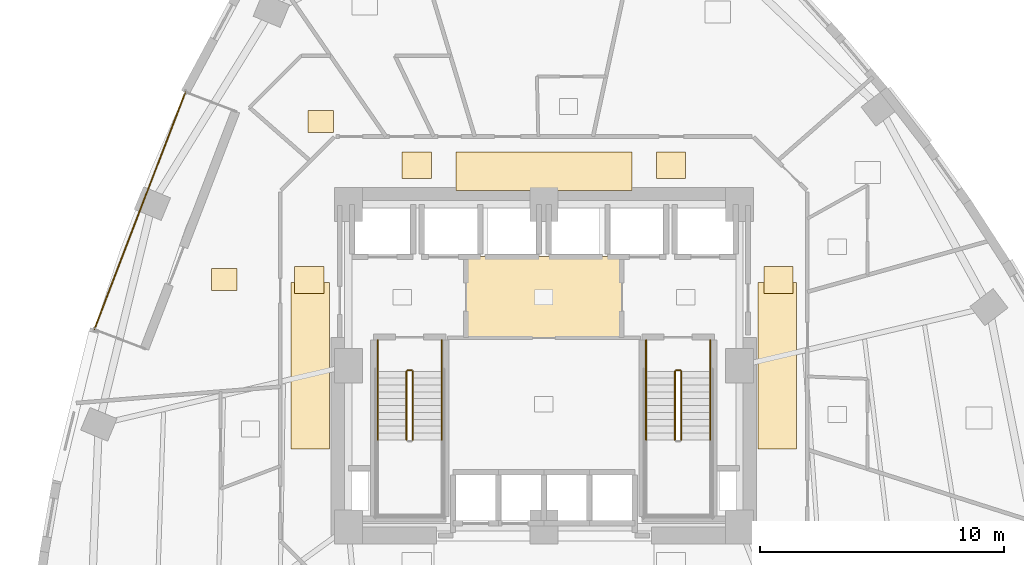
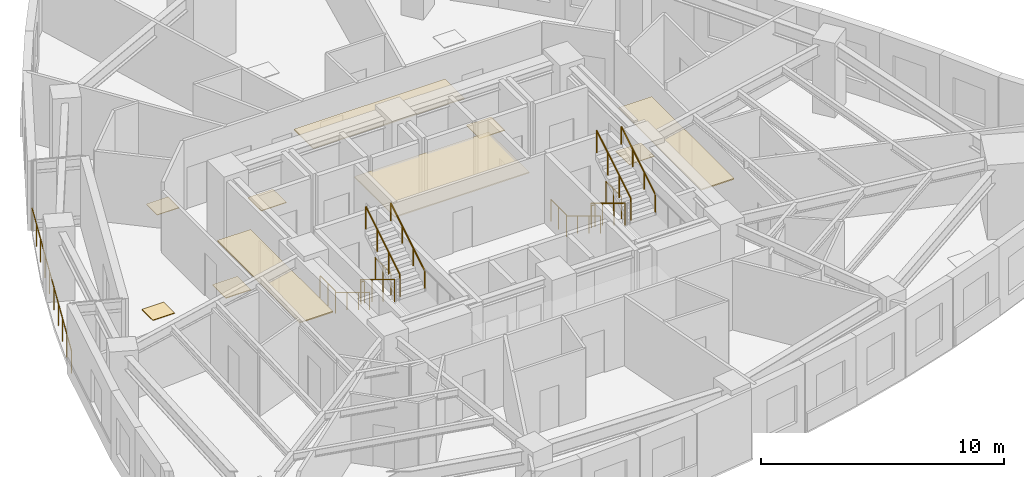
# One storey, part 11 of 12: 15 railings, 10 coverings.
"""IFC4 building model written with IfcOpenShell, lengths in metres."""

from ifc_helpers import new_model, si_unit, direction, frame, origin, origin_2d, place, context, subcontext, project, spatial, rectangle, circle, extrude, material, layer, layer_set, type_object, element, save


model = new_model("IFC4")

# Units and contexts
model_context = context("Model", 3, precision=1e-05, world=origin(), true_north=direction((0.0, 1.0)))
body_context = subcontext(model_context, "Body", "Model", "MODEL_VIEW")
ifc_project = project(units=[si_unit("LENGTHUNIT", "METRE"), si_unit("AREAUNIT", "SQUARE_METRE"), si_unit("VOLUMEUNIT", "CUBIC_METRE"), si_unit("PLANEANGLEUNIT", "RADIAN"), si_unit("MASSUNIT", "GRAM", prefix="KILO")], contexts=[model_context])

# Site, building, storey
site_placement = place(None, origin())
site = spatial("IfcSite", under=ifc_project, at=site_placement, CompositionType="ELEMENT")
building_placement = place(site_placement, origin())
building = spatial("IfcBuilding", under=site, at=building_placement, Name="Ndelora Gate Hotel", CompositionType="ELEMENT")
storey_placement = place(building_placement, frame((0.0, 0.0, 60.5)))
storey = spatial("IfcBuildingStorey", under=building, at=storey_placement, Name="L14", CompositionType="ELEMENT", Elevation=60.5)

# Coverings
ifc_material_1 = material(Name="Perforated Acoustic Gypsum Board", Category="gypsum")
ifc_layer_1 = layer(ifc_material_1, 0.054931640625)
ifc_layer_set_1 = layer_set([ifc_layer_1], Name="Perforated Acoustic Gypsum Board")
covering_type_1 = type_object("IfcCoveringType", Name="COV-CEIL-AC60", PredefinedType="CEILING", material=ifc_layer_set_1)
covering_1_placement = place(storey_placement, frame((0.0, 2.800048828125, 2.72265625), z_axis=(0.0, 0.0, 1.0), x_axis=(1.0, 0.0, 0.0)))
element("IfcCovering", 1, at=covering_1_placement, inside=storey, type_object=covering_type_1, Name="L14 Lift Lobby Acoustic Ceiling", PredefinedType="CEILING", context=body_context, shape_type="SweptSolid", body=[
    extrude(rectangle(XDim=6.39990234375, YDim=3.340087890625, at=origin_2d()), origin(), (0.0, 0.0, 1.0), 0.054931640625),
])
covering_2_placement = place(storey_placement, frame((0.0, 7.9599609375, 2.65234375), z_axis=(0.0, 0.0, 1.0), x_axis=(1.0, 0.0, 0.0)))
element("IfcCovering", 2, at=covering_2_placement, inside=storey, type_object=covering_type_1, Name="L14 Guest Corridor Acoustic Ceiling N", PredefinedType="CEILING", context=body_context, shape_type="SweptSolid", body=[
    extrude(rectangle(XDim=7.199951171875, YDim=1.580078125, at=origin_2d()), origin(), (0.0, 0.0, 1.0), 0.054931640625),
])
for number, where, z_axis, x_axis, name in (
    (3, (-9.550048828125, 0.0, 2.65234375), (0.0, 0.0, 1.0), (1.0, 0.0, 0.0), "L14 Guest Corridor Acoustic Ceiling W"),
    (4, (9.550048828125, 0.0, 2.65234375), (0.0, 0.0, 1.0), (1.0, 0.0, 0.0), "L14 Guest Corridor Acoustic Ceiling E"),
):
    element("IfcCovering", number, at=place(storey_placement, frame(where, z_axis=z_axis, x_axis=x_axis)), inside=storey, type_object=covering_type_1, Name=name, PredefinedType="CEILING", context=body_context, shape_type="SweptSolid", body=[
        extrude(rectangle(XDim=1.580078125, YDim=6.800048828125, at=origin_2d()), origin(), (0.0, 0.0, 1.0), 0.054931640625),
    ])
ifc_material_2 = material(Name="Engineered Highland Oak Parquet", Category="wood")
ifc_layer_2 = layer(ifc_material_2, 0.030029296875)
ifc_layer_set_2 = layer_set([ifc_layer_2], Name="Engineered Highland Oak Parquet")
covering_type_2 = type_object("IfcCoveringType", Name="COV-FLR-PARQ", PredefinedType="FLOORING", material=ifc_layer_set_2)
for number, where, z_axis, x_axis, name in (
    (5, (-13.076904296875, 3.5244140625, 0.0), (0.0, 0.0, 1.0), (1.0, 0.0, 0.0), "L14 Sky Garden Tea Dining Room Oak Parquet Flooring"),
    (6, (-9.129638671875, 9.989990234375, 0.0), (0.0, 0.0, 1.0), (1.0, 0.0, 0.0), "L14 Accessible WC Oak Parquet Flooring"),
):
    element("IfcCovering", number, at=place(storey_placement, frame(where, z_axis=z_axis, x_axis=x_axis)), inside=storey, type_object=covering_type_2, Name=name, PredefinedType="FLOORING", context=body_context, shape_type="SweptSolid", body=[
        extrude(rectangle(XDim=1.050048828125, YDim=0.89990234375, at=origin_2d()), origin(), (0.0, 0.0, 1.0), 0.030029296875),
    ])
ifc_material_3 = material(Name="Polished Highland Stone Terrazzo", Category="masonry")
ifc_layer_3 = layer(ifc_material_3, 0.034912109375)
ifc_layer_set_3 = layer_set([ifc_layer_3], Name="Polished Highland Stone Terrazzo")
covering_type_3 = type_object("IfcCoveringType", Name="COV-FLR-TERZ", PredefinedType="FLOORING", material=ifc_layer_set_3)
for number, where, z_axis, x_axis, name in (
    (7, (-5.199951171875, 8.199951171875, 0.0), (0.0, 0.0, 1.0), (1.0, 0.0, 0.0), "L14 Corridor Threshold Terrazzo Inlay NW"),
    (8, (5.199951171875, 8.199951171875, 0.0), (0.0, 0.0, 1.0), (1.0, 0.0, 0.0), "L14 Corridor Threshold Terrazzo Inlay NE"),
    (9, (-9.60009765625, 3.5, 0.0), (0.0, 0.0, 1.0), (1.0, 0.0, 0.0), "L14 Corridor Threshold Terrazzo Inlay W"),
    (10, (9.60009765625, 3.5, 0.0), (0.0, 0.0, 1.0), (1.0, 0.0, 0.0), "L14 Corridor Threshold Terrazzo Inlay E"),
):
    element("IfcCovering", number, at=place(storey_placement, frame(where, z_axis=z_axis, x_axis=x_axis)), inside=storey, type_object=covering_type_3, Name=name, PredefinedType="FLOORING", context=body_context, shape_type="SweptSolid", body=[
        extrude(rectangle(XDim=1.199951171875, YDim=1.10009765625, at=origin_2d()), origin(), (0.0, 0.0, 1.0), 0.034912109375),
    ])

# Railings
ifc_material_4 = material(Name="Laminated Safety Glass and Bronze Top Rail", Category="glass")
ifc_layer_4 = layer(ifc_material_4, 0.070068359375)
ifc_layer_set_4 = layer_set([ifc_layer_4], Name="Laminated Safety Glass and Bronze Top Rail")
railing_type_1 = type_object("IfcRailingType", Name="RL-BAL-1150", PredefinedType="BALUSTRADE", material=ifc_layer_set_4)
railing_1_placement = place(storey_placement, frame((-14.66259765625, 11.198486328125, 0.0)))
element("IfcRailing", 11, at=railing_1_placement, inside=storey, type_object=railing_type_1, Name="L14 Sky-Garden Loggia Terrace Balustrade", PredefinedType="BALUSTRADE", context=body_context, shape_type="SweptSolid", body=[
    extrude(circle(Radius=0.02392578125, at=origin_2d()), frame((0.0, 0.0, 1.1357421875), z_axis=(-0.35834191059, -0.933590421499, 0.0), x_axis=(0.933590421499, -0.35834191059, 0.0)), (0.0, 0.0, 1.0), 10.400146484375),
    extrude(circle(Radius=0.02099609375, at=origin_2d()), origin(), (0.0, 0.0, 1.0), 1.11181640625),
    extrude(circle(Radius=0.02099609375, at=origin_2d()), frame((-0.4140625, -1.078857421875, 0.0)), (0.0, 0.0, 1.0), 1.11181640625),
    extrude(circle(Radius=0.02099609375, at=origin_2d()), frame((-0.828125, -2.15771484375, 0.0)), (0.0, 0.0, 1.0), 1.11181640625),
    extrude(circle(Radius=0.02099609375, at=origin_2d()), frame((-1.2421875, -3.236572265625, 0.0)), (0.0, 0.0, 1.0), 1.11181640625),
    extrude(circle(Radius=0.02099609375, at=origin_2d()), frame((-1.65625, -4.3154296875, 0.0)), (0.0, 0.0, 1.0), 1.11181640625),
    extrude(circle(Radius=0.02099609375, at=origin_2d()), frame((-2.070556640625, -5.39404296875, 0.0)), (0.0, 0.0, 1.0), 1.11181640625),
    extrude(circle(Radius=0.02099609375, at=origin_2d()), frame((-2.484619140625, -6.472900390625, 0.0)), (0.0, 0.0, 1.0), 1.11181640625),
    extrude(circle(Radius=0.02099609375, at=origin_2d()), frame((-2.898681640625, -7.5517578125, 0.0)), (0.0, 0.0, 1.0), 1.11181640625),
    extrude(circle(Radius=0.02099609375, at=origin_2d()), frame((-3.312744140625, -8.630615234375, 0.0)), (0.0, 0.0, 1.0), 1.11181640625),
    extrude(circle(Radius=0.02099609375, at=origin_2d()), frame((-3.726806640625, -9.70947265625, 0.0)), (0.0, 0.0, 1.0), 1.11181640625),
])
ifc_material_5 = material(Name="Painted Galvanized Steel Balustrade", Category="steel")
ifc_layer_5 = layer(ifc_material_5, 0.06005859375)
ifc_layer_set_5 = layer_set([ifc_layer_5], Name="Painted Galvanized Steel Balustrade")
railing_type_2 = type_object("IfcRailingType", Name="RL-STAIR-GD", PredefinedType="GUARDRAIL", material=ifc_layer_set_5)
railing_2_placement = place(storey_placement, frame((-5.6201171875, -0.22998046875, 0.17041015625)))
element("IfcRailing", 12, at=railing_2_placement, inside=storey, type_object=railing_type_2, Name="L14 ST4 stair guard 1", PredefinedType="GUARDRAIL", context=body_context, shape_type="SweptSolid", body=[
    extrude(circle(Radius=0.02392578125, at=origin_2d()), frame((0.0, 0.0, 1.10595703125), z_axis=(0.0, -0.854169791009, 0.51999420009), x_axis=(1.0, 0.0, 0.0)), (0.0, 0.0, 1.0), 3.278076171875),
    extrude(circle(Radius=0.02099609375, at=origin_2d()), origin(), (0.0, 0.0, 1.0), 1.081787109375),
    extrude(circle(Radius=0.02099609375, at=origin_2d()), frame((0.0, -0.933349609375, 0.568115234375)), (0.0, 0.0, 1.0), 1.081787109375),
    extrude(circle(Radius=0.02099609375, at=origin_2d()), frame((0.0, -1.86669921875, 1.136474609375)), (0.0, 0.0, 1.0), 1.081787109375),
    extrude(circle(Radius=0.02099609375, at=origin_2d()), frame((0.0, -2.800048828125, 1.70458984375)), (0.0, 0.0, 1.0), 1.081787109375),
])
railing_3_placement = place(storey_placement, frame((-5.360107421875, -3.030029296875, 2.04541015625)))
element("IfcRailing", 13, at=railing_3_placement, inside=storey, type_object=railing_type_2, Name="L14 ST4 stair guard 6", PredefinedType="GUARDRAIL", context=body_context, shape_type="SweptSolid", body=[
    extrude(circle(Radius=0.02392578125, at=origin_2d()), frame((0.0, 0.0, 1.10595703125), z_axis=(0.0, 0.854169791009, 0.51999420009), x_axis=(-1.0, 0.0, 0.0)), (0.0, 0.0, 1.0), 3.278076171875),
    extrude(circle(Radius=0.02099609375, at=origin_2d()), origin(), (0.0, 0.0, 1.0), 1.081787109375),
    extrude(circle(Radius=0.02099609375, at=origin_2d()), frame((0.0, 0.933349609375, 0.568115234375)), (0.0, 0.0, 1.0), 1.081787109375),
    extrude(circle(Radius=0.02099609375, at=origin_2d()), frame((0.0, 1.86669921875, 1.136474609375)), (0.0, 0.0, 1.0), 1.081787109375),
    extrude(circle(Radius=0.02099609375, at=origin_2d()), frame((0.0, 2.800048828125, 1.70458984375)), (0.0, 0.0, 1.0), 1.081787109375),
])
railing_4_placement = place(storey_placement, frame((-5.570068359375, -0.179931640625, 0.0)))
element("IfcRailing", 14, at=railing_4_placement, inside=storey, type_object=railing_type_2, Name="L14 ST4 stair guard 7", PredefinedType="GUARDRAIL", context=body_context, shape_type="SweptSolid", body=[
    extrude(circle(Radius=0.02392578125, at=origin_2d()), frame((0.0, 0.0, 1.10595703125), z_axis=(1.0, 0.0, 0.0), x_axis=(0.0, 1.0, 0.0)), (0.0, 0.0, 1.0), 0.16015625),
    extrude(circle(Radius=0.02099609375, at=origin_2d()), origin(), (0.0, 0.0, 1.0), 1.081787109375),
    extrude(circle(Radius=0.02099609375, at=origin_2d()), frame((0.16015625, 0.0, 0.0)), (0.0, 0.0, 1.0), 1.081787109375),
])
for number, where, name in (
    (15, (-6.800048828125, 1.050048828125, 0.0), "L14 ST4 stair guard 8"),
    (16, (-4.179931640625, 1.050048828125, 0.0), "L14 ST4 stair guard 9"),
):
    element("IfcRailing", number, at=place(storey_placement, frame(where)), inside=storey, type_object=railing_type_2, Name=name, PredefinedType="GUARDRAIL", context=body_context, shape_type="SweptSolid", body=[
        extrude(circle(Radius=0.02392578125, at=origin_2d()), frame((0.0, 0.0, 1.10595703125), z_axis=(0.0, -1.0, 0.0), x_axis=(1.0, 0.0, 0.0)), (0.0, 0.0, 1.0), 1.280029296875),
        extrude(circle(Radius=0.02099609375, at=origin_2d()), origin(), (0.0, 0.0, 1.0), 1.081787109375),
        extrude(circle(Radius=0.02099609375, at=origin_2d()), frame((0.0, -0.64013671875, 0.0)), (0.0, 0.0, 1.0), 1.081787109375),
        extrude(circle(Radius=0.02099609375, at=origin_2d()), frame((0.0, -1.280029296875, 0.0)), (0.0, 0.0, 1.0), 1.081787109375),
    ])
railing_5_placement = place(storey_placement, frame((5.360107421875, -0.22998046875, 0.17041015625)))
element("IfcRailing", 17, at=railing_5_placement, inside=storey, type_object=railing_type_2, Name="L14 ST5 stair guard 1", PredefinedType="GUARDRAIL", context=body_context, shape_type="SweptSolid", body=[
    extrude(circle(Radius=0.02392578125, at=origin_2d()), frame((0.0, 0.0, 1.10595703125), z_axis=(0.0, -0.854169791009, 0.51999420009), x_axis=(1.0, 0.0, 0.0)), (0.0, 0.0, 1.0), 3.278076171875),
    extrude(circle(Radius=0.02099609375, at=origin_2d()), origin(), (0.0, 0.0, 1.0), 1.081787109375),
    extrude(circle(Radius=0.02099609375, at=origin_2d()), frame((0.0, -0.933349609375, 0.568115234375)), (0.0, 0.0, 1.0), 1.081787109375),
    extrude(circle(Radius=0.02099609375, at=origin_2d()), frame((0.0, -1.86669921875, 1.136474609375)), (0.0, 0.0, 1.0), 1.081787109375),
    extrude(circle(Radius=0.02099609375, at=origin_2d()), frame((0.0, -2.800048828125, 1.70458984375)), (0.0, 0.0, 1.0), 1.081787109375),
])
railing_6_placement = place(storey_placement, frame((5.6201171875, -3.030029296875, 2.04541015625)))
element("IfcRailing", 18, at=railing_6_placement, inside=storey, type_object=railing_type_2, Name="L14 ST5 stair guard 6", PredefinedType="GUARDRAIL", context=body_context, shape_type="SweptSolid", body=[
    extrude(circle(Radius=0.02392578125, at=origin_2d()), frame((0.0, 0.0, 1.10595703125), z_axis=(0.0, 0.854169791009, 0.51999420009), x_axis=(-1.0, 0.0, 0.0)), (0.0, 0.0, 1.0), 3.278076171875),
    extrude(circle(Radius=0.02099609375, at=origin_2d()), origin(), (0.0, 0.0, 1.0), 1.081787109375),
    extrude(circle(Radius=0.02099609375, at=origin_2d()), frame((0.0, 0.933349609375, 0.568115234375)), (0.0, 0.0, 1.0), 1.081787109375),
    extrude(circle(Radius=0.02099609375, at=origin_2d()), frame((0.0, 1.86669921875, 1.136474609375)), (0.0, 0.0, 1.0), 1.081787109375),
    extrude(circle(Radius=0.02099609375, at=origin_2d()), frame((0.0, 2.800048828125, 1.70458984375)), (0.0, 0.0, 1.0), 1.081787109375),
])
railing_7_placement = place(storey_placement, frame((5.409912109375, -0.179931640625, 0.0)))
element("IfcRailing", 19, at=railing_7_placement, inside=storey, type_object=railing_type_2, Name="L14 ST5 stair guard 7", PredefinedType="GUARDRAIL", context=body_context, shape_type="SweptSolid", body=[
    extrude(circle(Radius=0.02392578125, at=origin_2d()), frame((0.0, 0.0, 1.10595703125), z_axis=(1.0, 0.0, 0.0), x_axis=(0.0, 1.0, 0.0)), (0.0, 0.0, 1.0), 0.16015625),
    extrude(circle(Radius=0.02099609375, at=origin_2d()), origin(), (0.0, 0.0, 1.0), 1.081787109375),
    extrude(circle(Radius=0.02099609375, at=origin_2d()), frame((0.16015625, 0.0, 0.0)), (0.0, 0.0, 1.0), 1.081787109375),
])
for number, where, name in (
    (20, (4.179931640625, 1.050048828125, 0.0), "L14 ST5 stair guard 8"),
    (21, (6.800048828125, 1.050048828125, 0.0), "L14 ST5 stair guard 9"),
):
    element("IfcRailing", number, at=place(storey_placement, frame(where)), inside=storey, type_object=railing_type_2, Name=name, PredefinedType="GUARDRAIL", context=body_context, shape_type="SweptSolid", body=[
        extrude(circle(Radius=0.02392578125, at=origin_2d()), frame((0.0, 0.0, 1.10595703125), z_axis=(0.0, -1.0, 0.0), x_axis=(1.0, 0.0, 0.0)), (0.0, 0.0, 1.0), 1.280029296875),
        extrude(circle(Radius=0.02099609375, at=origin_2d()), origin(), (0.0, 0.0, 1.0), 1.081787109375),
        extrude(circle(Radius=0.02099609375, at=origin_2d()), frame((0.0, -0.64013671875, 0.0)), (0.0, 0.0, 1.0), 1.081787109375),
        extrude(circle(Radius=0.02099609375, at=origin_2d()), frame((0.0, -1.280029296875, 0.0)), (0.0, 0.0, 1.0), 1.081787109375),
    ])
ifc_material_6 = material(Name="Brushed Stainless Steel 316", Category="steel")
ifc_layer_6 = layer(ifc_material_6, 0.050048828125)
ifc_layer_set_6 = layer_set([ifc_layer_6], Name="Brushed Stainless Steel 316")
railing_type_3 = type_object("IfcRailingType", Name="RL-STAIR-HR", PredefinedType="HANDRAIL", material=ifc_layer_set_6)
railing_8_placement = place(storey_placement, frame((-6.800048828125, -0.22998046875, 0.17041015625)))
element("IfcRailing", 22, at=railing_8_placement, inside=storey, type_object=railing_type_3, Name="L14 ST4 stair handrail 1", PredefinedType="HANDRAIL", context=body_context, shape_type="SweptSolid", body=[
    extrude(circle(Radius=0.02392578125, at=origin_2d()), frame((0.0, 0.0, 0.8759765625), z_axis=(0.0, -0.854169791009, 0.51999420009), x_axis=(1.0, 0.0, 0.0)), (0.0, 0.0, 1.0), 3.278076171875),
    extrude(circle(Radius=0.02099609375, at=origin_2d()), origin(), (0.0, 0.0, 1.0), 0.851806640625),
    extrude(circle(Radius=0.02099609375, at=origin_2d()), frame((0.0, -0.933349609375, 0.568115234375)), (0.0, 0.0, 1.0), 0.851806640625),
    extrude(circle(Radius=0.02099609375, at=origin_2d()), frame((0.0, -1.86669921875, 1.136474609375)), (0.0, 0.0, 1.0), 0.851806640625),
    extrude(circle(Radius=0.02099609375, at=origin_2d()), frame((0.0, -2.800048828125, 1.70458984375)), (0.0, 0.0, 1.0), 0.851806640625),
])
railing_9_placement = place(storey_placement, frame((-4.179931640625, -3.030029296875, 2.04541015625)))
element("IfcRailing", 23, at=railing_9_placement, inside=storey, type_object=railing_type_3, Name="L14 ST4 stair handrail 2", PredefinedType="HANDRAIL", context=body_context, shape_type="SweptSolid", body=[
    extrude(circle(Radius=0.02392578125, at=origin_2d()), frame((0.0, 0.0, 0.8759765625), z_axis=(0.0, 0.854169791009, 0.51999420009), x_axis=(-1.0, 0.0, 0.0)), (0.0, 0.0, 1.0), 3.278076171875),
    extrude(circle(Radius=0.02099609375, at=origin_2d()), origin(), (0.0, 0.0, 1.0), 0.851806640625),
    extrude(circle(Radius=0.02099609375, at=origin_2d()), frame((0.0, 0.933349609375, 0.568115234375)), (0.0, 0.0, 1.0), 0.851806640625),
    extrude(circle(Radius=0.02099609375, at=origin_2d()), frame((0.0, 1.86669921875, 1.136474609375)), (0.0, 0.0, 1.0), 0.851806640625),
    extrude(circle(Radius=0.02099609375, at=origin_2d()), frame((0.0, 2.800048828125, 1.70458984375)), (0.0, 0.0, 1.0), 0.851806640625),
])
railing_10_placement = place(storey_placement, frame((4.179931640625, -0.22998046875, 0.17041015625)))
element("IfcRailing", 24, at=railing_10_placement, inside=storey, type_object=railing_type_3, Name="L14 ST5 stair handrail 1", PredefinedType="HANDRAIL", context=body_context, shape_type="SweptSolid", body=[
    extrude(circle(Radius=0.02392578125, at=origin_2d()), frame((0.0, 0.0, 0.8759765625), z_axis=(0.0, -0.854169791009, 0.51999420009), x_axis=(1.0, 0.0, 0.0)), (0.0, 0.0, 1.0), 3.278076171875),
    extrude(circle(Radius=0.02099609375, at=origin_2d()), origin(), (0.0, 0.0, 1.0), 0.851806640625),
    extrude(circle(Radius=0.02099609375, at=origin_2d()), frame((0.0, -0.933349609375, 0.568115234375)), (0.0, 0.0, 1.0), 0.851806640625),
    extrude(circle(Radius=0.02099609375, at=origin_2d()), frame((0.0, -1.86669921875, 1.136474609375)), (0.0, 0.0, 1.0), 0.851806640625),
    extrude(circle(Radius=0.02099609375, at=origin_2d()), frame((0.0, -2.800048828125, 1.70458984375)), (0.0, 0.0, 1.0), 0.851806640625),
])
railing_11_placement = place(storey_placement, frame((6.800048828125, -3.030029296875, 2.04541015625)))
element("IfcRailing", 25, at=railing_11_placement, inside=storey, type_object=railing_type_3, Name="L14 ST5 stair handrail 2", PredefinedType="HANDRAIL", context=body_context, shape_type="SweptSolid", body=[
    extrude(circle(Radius=0.02392578125, at=origin_2d()), frame((0.0, 0.0, 0.8759765625), z_axis=(0.0, 0.854169791009, 0.51999420009), x_axis=(-1.0, 0.0, 0.0)), (0.0, 0.0, 1.0), 3.278076171875),
    extrude(circle(Radius=0.02099609375, at=origin_2d()), origin(), (0.0, 0.0, 1.0), 0.851806640625),
    extrude(circle(Radius=0.02099609375, at=origin_2d()), frame((0.0, 0.933349609375, 0.568115234375)), (0.0, 0.0, 1.0), 0.851806640625),
    extrude(circle(Radius=0.02099609375, at=origin_2d()), frame((0.0, 1.86669921875, 1.136474609375)), (0.0, 0.0, 1.0), 0.851806640625),
    extrude(circle(Radius=0.02099609375, at=origin_2d()), frame((0.0, 2.800048828125, 1.70458984375)), (0.0, 0.0, 1.0), 0.851806640625),
])

save(model, "model.ifc")
